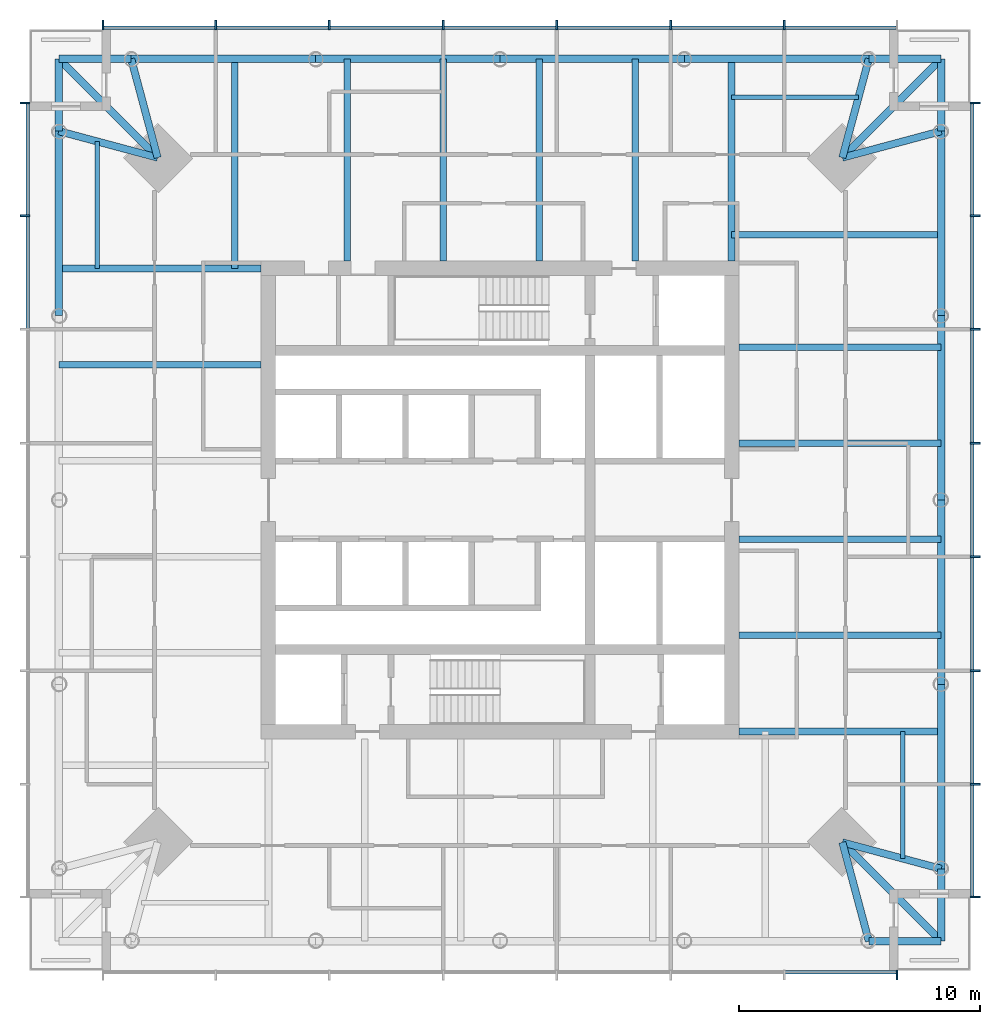
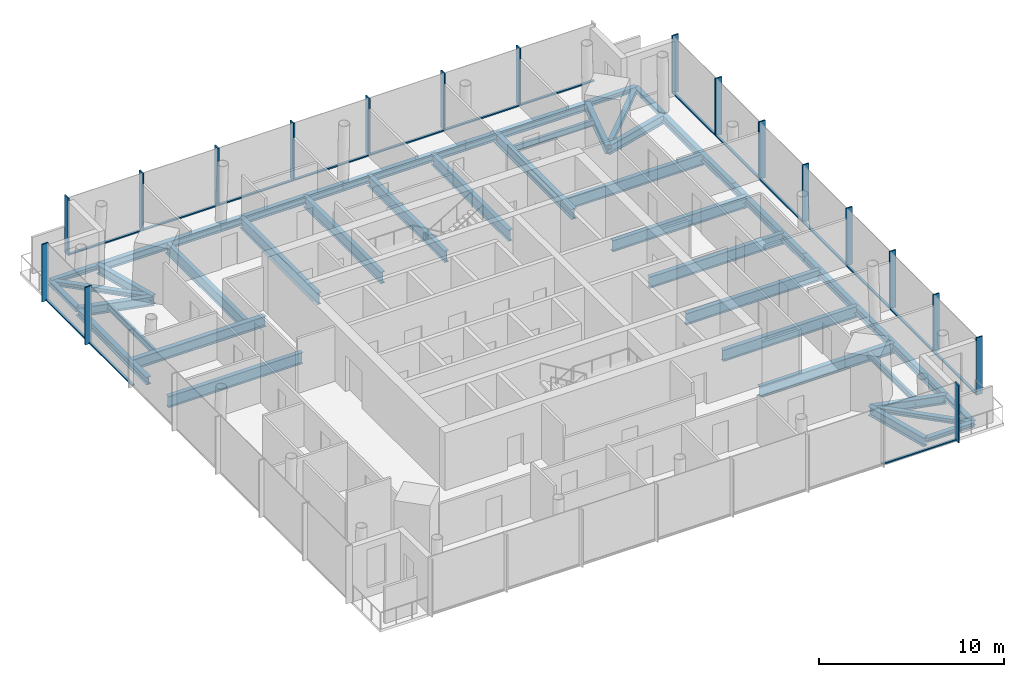
# One storey, part 2 of 7: 41 beams, 35 members, 4 elements without a shape of their own.
"""IFC4 building model written with IfcOpenShell, lengths in metres."""

from ifc_helpers import new_model, si_unit, direction, frame, origin, origin_2d, place, context, subcontext, project, spatial, rectangle, i_section, extrude, material, material_profile, profile_set, type_object, element, aggregate, save


model = new_model("IFC4")

# Units and contexts
model_context = context("Model", 3, precision=1e-05, world=origin(), true_north=direction((0.0, 1.0)))
body_context = subcontext(model_context, "Body", "Model", "MODEL_VIEW")
ifc_project = project(units=[si_unit("LENGTHUNIT", "METRE"), si_unit("AREAUNIT", "SQUARE_METRE"), si_unit("VOLUMEUNIT", "CUBIC_METRE"), si_unit("PLANEANGLEUNIT", "RADIAN"), si_unit("MASSUNIT", "GRAM", prefix="KILO")], contexts=[model_context])

# Site, building, storey
site_placement = place(None, origin())
site = spatial("IfcSite", under=ifc_project, at=site_placement, CompositionType="ELEMENT")
building_placement = place(site_placement, origin())
building = spatial("IfcBuilding", under=site, at=building_placement, Name="Ostroluk Exchange", CompositionType="ELEMENT")
storey_placement = place(building_placement, frame((0.0, 0.0, 199.60009765625)))
storey = spatial("IfcBuildingStorey", under=building, at=storey_placement, Name="L51", CompositionType="ELEMENT", Elevation=199.60009765625)

# Beams
ifc_material_1 = material(Name="Steel S355", Category="steel")
ifc_material_profile_1 = material_profile(ifc_material_1, i_section(OverallWidth=0.300048828125, OverallDepth=0.300048828125, WebThickness=0.010986328125, FlangeThickness=0.01904296875, FilletRadius=0.027099609375, at=origin_2d()), Name="HEB 300")
ifc_profile_set_1 = profile_set([ifc_material_profile_1], Name="Steel S355")
beam_type_1 = type_object("IfcBeamType", Name="Balcony beam HEB 300", PredefinedType="BEAM", material=ifc_profile_set_1)
for number, where, z_axis, x_axis, name in (
    (1, (63.29296875, 61.29296875, -0.330078125), (0.0, 1.0, 0.0), (-1.0, 0.0, 0.0), "T1 east balcony beam a"),
    (2, (60.29296875, 64.29296875, -0.330078125), (1.0, 0.0, 0.0), (0.0, 1.0, 0.0), "T1 east balcony beam b"),
):
    element("IfcBeam", number, at=place(storey_placement, frame(where, z_axis=z_axis, x_axis=x_axis)), inside=storey, type_object=beam_type_1, Name=name, PredefinedType="BEAM", context=body_context, shape_type="SweptSolid", body=[
        extrude(i_section(OverallWidth=0.300048828125, OverallDepth=0.300048828125, WebThickness=0.010986328125, FlangeThickness=0.01904296875, FilletRadius=0.027099609375, at=origin_2d()), origin(), (0.0, 0.0, 1.0), 3.0),
    ])
beam_1_placement = place(storey_placement, frame((59.19287109375, 60.19287109375, -0.330078125), z_axis=(0.707106781187, 0.707106781187, 0.0), x_axis=(-0.707106781187, 0.707106781187, 0.0)))
element("IfcBeam", 3, at=beam_1_placement, inside=storey, type_object=beam_type_1, Name="T1 east balcony beam c", PredefinedType="BEAM", context=body_context, shape_type="SweptSolid", body=[
    extrude(i_section(OverallWidth=0.300048828125, OverallDepth=0.300048828125, WebThickness=0.010986328125, FlangeThickness=0.01904296875, FilletRadius=0.027099609375, at=origin_2d()), origin(), (0.0, 0.0, 1.0), 5.79833984375),
])
for number, where, z_axis, x_axis, name in (
    (4, (29.70703125, 64.29296875, -0.330078125), (-1.0, 0.0, 0.0), (0.0, -1.0, 0.0), "T1 north balcony beam a"),
    (5, (26.70703125, 61.29296875, -0.330078125), (0.0, 1.0, 0.0), (-1.0, 0.0, 0.0), "T1 north balcony beam b"),
):
    element("IfcBeam", number, at=place(storey_placement, frame(where, z_axis=z_axis, x_axis=x_axis)), inside=storey, type_object=beam_type_1, Name=name, PredefinedType="BEAM", context=body_context, shape_type="SweptSolid", body=[
        extrude(i_section(OverallWidth=0.300048828125, OverallDepth=0.300048828125, WebThickness=0.010986328125, FlangeThickness=0.01904296875, FilletRadius=0.027099609375, at=origin_2d()), origin(), (0.0, 0.0, 1.0), 3.0),
    ])
beam_2_placement = place(storey_placement, frame((30.80712890625, 60.19287109375, -0.330078125), z_axis=(-0.707106781187, 0.707106781187, 0.0), x_axis=(-0.707106781187, -0.707106781187, 0.0)))
element("IfcBeam", 6, at=beam_2_placement, inside=storey, type_object=beam_type_1, Name="T1 north balcony beam c", PredefinedType="BEAM", context=body_context, shape_type="SweptSolid", body=[
    extrude(i_section(OverallWidth=0.300048828125, OverallDepth=0.300048828125, WebThickness=0.010986328125, FlangeThickness=0.01904296875, FilletRadius=0.027099609375, at=origin_2d()), origin(), (0.0, 0.0, 1.0), 5.79833984375),
])
for number, where, z_axis, x_axis, name in (
    (7, (60.29296875, 27.70703125, -0.330078125), (1.0, 0.0, 0.0), (0.0, 1.0, 0.0), "T1 south balcony beam a"),
    (8, (63.29296875, 30.70703125, -0.330078125), (0.0, -1.0, 0.0), (1.0, 0.0, 0.0), "T1 south balcony beam b"),
):
    element("IfcBeam", number, at=place(storey_placement, frame(where, z_axis=z_axis, x_axis=x_axis)), inside=storey, type_object=beam_type_1, Name=name, PredefinedType="BEAM", context=body_context, shape_type="SweptSolid", body=[
        extrude(i_section(OverallWidth=0.300048828125, OverallDepth=0.300048828125, WebThickness=0.010986328125, FlangeThickness=0.01904296875, FilletRadius=0.027099609375, at=origin_2d()), origin(), (0.0, 0.0, 1.0), 3.0),
    ])
beam_3_placement = place(storey_placement, frame((59.19287109375, 31.80712890625, -0.330078125), z_axis=(0.707106781187, -0.707106781187, 0.0), x_axis=(0.707106781187, 0.707106781187, 0.0)))
element("IfcBeam", 9, at=beam_3_placement, inside=storey, type_object=beam_type_1, Name="T1 south balcony beam c", PredefinedType="BEAM", context=body_context, shape_type="SweptSolid", body=[
    extrude(i_section(OverallWidth=0.300048828125, OverallDepth=0.300048828125, WebThickness=0.010986328125, FlangeThickness=0.01904296875, FilletRadius=0.027099609375, at=origin_2d()), origin(), (0.0, 0.0, 1.0), 5.79833984375),
])
ifc_material_2 = material(Name="Steel S355", Category="steel")
ifc_material_profile_2 = material_profile(ifc_material_2, i_section(OverallWidth=0.300048828125, OverallDepth=0.60009765625, WebThickness=0.015380859375, FlangeThickness=0.030029296875, FilletRadius=0.027099609375, at=origin_2d()), Name="HEB 600")
ifc_profile_set_2 = profile_set([ifc_material_profile_2], Name="Steel S355")
beam_type_2 = type_object("IfcBeamType", Name="Corner edge beam HEB 600", PredefinedType="SPANDREL", material=ifc_profile_set_2)
for number, where, z_axis, x_axis, name in (
    (10, (59.19287109375, 60.19287109375, -0.47998046875), (0.965838624319, 0.259144268261, 0.0), (-0.259144268261, 0.965838624319, 0.0), "T1 east corner edge beam a"),
    (11, (59.19287109375, 60.19287109375, -0.47998046875), (0.259144268261, 0.965838624319, 0.0), (-0.965838624319, 0.259144268261, 0.0), "T1 east corner edge beam b"),
    (12, (30.80712890625, 60.19287109375, -0.47998046875), (-0.259144268261, 0.965838624319, 0.0), (-0.965838624319, -0.259144268261, 0.0), "T1 north corner edge beam a"),
    (13, (30.80712890625, 60.19287109375, -0.47998046875), (-0.965838624319, 0.259144268261, 0.0), (-0.259144268261, -0.965838624319, 0.0), "T1 north corner edge beam b"),
    (14, (59.19287109375, 31.80712890625, -0.47998046875), (0.259144268261, -0.965838624319, 0.0), (0.965838624319, 0.259144268261, 0.0), "T1 south corner edge beam a"),
    (15, (59.19287109375, 31.80712890625, -0.47998046875), (0.965838624319, -0.259144268261, 0.0), (0.259144268261, 0.965838624319, 0.0), "T1 south corner edge beam b"),
):
    element("IfcBeam", number, at=place(storey_placement, frame(where, z_axis=z_axis, x_axis=x_axis)), inside=storey, type_object=beam_type_2, Name=name, PredefinedType="SPANDREL", context=body_context, shape_type="SweptSolid", body=[
        extrude(i_section(OverallWidth=0.300048828125, OverallDepth=0.60009765625, WebThickness=0.015380859375, FlangeThickness=0.030029296875, FilletRadius=0.027099609375, at=origin_2d()), origin(), (0.0, 0.0, 1.0), 4.2451171875),
    ])
ifc_material_3 = material(Name="Steel S355", Category="steel")
ifc_material_profile_3 = material_profile(ifc_material_3, i_section(OverallWidth=0.179931640625, OverallDepth=0.39990234375, WebThickness=0.008544921875, FlangeThickness=0.013427734375, FilletRadius=0.02099609375, at=origin_2d()), Name="IPE 400")
ifc_profile_set_3 = profile_set([ifc_material_profile_3], Name="Steel S355")
beam_type_3 = type_object("IfcBeamType", Name="Floor beam IPE 400", PredefinedType="BEAM", material=ifc_profile_set_3)
for number, where, z_axis, x_axis, name in (
    (16, (54.60009765625, 62.69287109375, -0.380126953125), (1.0, 0.0, 0.0), (0.0, 1.0, 0.0), "T1 east floor beam 6"),
    (17, (28.30712890625, 55.60009765625, -0.380126953125), (0.0, 1.0, 0.0), (-1.0, 0.0, 0.0), "T1 north floor beam 6"),
    (18, (61.69287109375, 36.39990234375, -0.380126953125), (0.0, -1.0, 0.0), (1.0, 0.0, 0.0), "T1 south floor beam 6"),
):
    element("IfcBeam", number, at=place(storey_placement, frame(where, z_axis=z_axis, x_axis=x_axis)), inside=storey, type_object=beam_type_3, Name=name, PredefinedType="BEAM", context=body_context, shape_type="SweptSolid", body=[
        extrude(i_section(OverallWidth=0.179931640625, OverallDepth=0.39990234375, WebThickness=0.008544921875, FlangeThickness=0.013427734375, FilletRadius=0.02099609375, at=origin_2d()), origin(), (0.0, 0.0, 1.0), 5.263427734375),
    ])
ifc_material_4 = material(Name="Steel S355", Category="steel")
ifc_material_profile_4 = material_profile(ifc_material_4, i_section(OverallWidth=0.264892578125, OverallDepth=0.7529296875, WebThickness=0.01318359375, FlangeThickness=0.01708984375, FilletRadius=0.01708984375, at=origin_2d()), Name="IPE 750x147")
ifc_profile_set_4 = profile_set([ifc_material_profile_4], Name="Steel S355")
beam_type_4 = type_object("IfcBeamType", Name="Floor beam IPE 750x147", PredefinedType="BEAM", material=ifc_profile_set_4)
for number, where, z_axis, x_axis, name in (
    (19, (54.89990234375, 40.384765625, -0.556640625), (1.0, 0.0, 0.0), (0.0, 1.0, 0.0), "T1 east floor beam 1"),
    (20, (54.89990234375, 44.369384765625, -0.556640625), (1.0, 0.0, 0.0), (0.0, 1.0, 0.0), "T1 east floor beam 2"),
    (21, (54.89990234375, 48.35400390625, -0.556640625), (1.0, 0.0, 0.0), (0.0, 1.0, 0.0), "T1 east floor beam 3"),
    (22, (54.89990234375, 52.3388671875, -0.556640625), (1.0, 0.0, 0.0), (0.0, 1.0, 0.0), "T1 east floor beam 4"),
):
    element("IfcBeam", number, at=place(storey_placement, frame(where, z_axis=z_axis, x_axis=x_axis)), inside=storey, type_object=beam_type_4, Name=name, PredefinedType="BEAM", context=body_context, shape_type="SweptSolid", body=[
        extrude(i_section(OverallWidth=0.264892578125, OverallDepth=0.7529296875, WebThickness=0.01318359375, FlangeThickness=0.01708984375, FilletRadius=0.01708984375, at=origin_2d()), origin(), (0.0, 0.0, 1.0), 8.39306640625),
    ])
beam_4_placement = place(storey_placement, frame((54.60009765625, 57.0, -0.556640625), z_axis=(1.0, 0.0, 0.0), x_axis=(0.0, 1.0, 0.0)))
element("IfcBeam", 23, at=beam_4_placement, inside=storey, type_object=beam_type_4, Name="T1 east floor beam 5", PredefinedType="BEAM", context=body_context, shape_type="SweptSolid", body=[
    extrude(i_section(OverallWidth=0.264892578125, OverallDepth=0.7529296875, WebThickness=0.01318359375, FlangeThickness=0.01708984375, FilletRadius=0.01708984375, at=origin_2d()), origin(), (0.0, 0.0, 1.0), 8.69287109375),
])
for number, where, z_axis, x_axis, name in (
    (24, (50.615234375, 55.89990234375, -0.556640625), (0.0, 1.0, 0.0), (-1.0, 0.0, 0.0), "T1 north floor beam 1"),
    (25, (46.630615234375, 55.89990234375, -0.556640625), (0.0, 1.0, 0.0), (-1.0, 0.0, 0.0), "T1 north floor beam 2"),
    (26, (42.64599609375, 55.89990234375, -0.556640625), (0.0, 1.0, 0.0), (-1.0, 0.0, 0.0), "T1 north floor beam 3"),
    (27, (38.6611328125, 55.89990234375, -0.556640625), (0.0, 1.0, 0.0), (-1.0, 0.0, 0.0), "T1 north floor beam 4"),
):
    element("IfcBeam", number, at=place(storey_placement, frame(where, z_axis=z_axis, x_axis=x_axis)), inside=storey, type_object=beam_type_4, Name=name, PredefinedType="BEAM", context=body_context, shape_type="SweptSolid", body=[
        extrude(i_section(OverallWidth=0.264892578125, OverallDepth=0.7529296875, WebThickness=0.01318359375, FlangeThickness=0.01708984375, FilletRadius=0.01708984375, at=origin_2d()), origin(), (0.0, 0.0, 1.0), 8.39306640625),
    ])
beam_5_placement = place(storey_placement, frame((34.0, 55.60009765625, -0.556640625), z_axis=(0.0, 1.0, 0.0), x_axis=(-1.0, 0.0, 0.0)))
element("IfcBeam", 28, at=beam_5_placement, inside=storey, type_object=beam_type_4, Name="T1 north floor beam 5", PredefinedType="BEAM", context=body_context, shape_type="SweptSolid", body=[
    extrude(i_section(OverallWidth=0.264892578125, OverallDepth=0.7529296875, WebThickness=0.01318359375, FlangeThickness=0.01708984375, FilletRadius=0.01708984375, at=origin_2d()), origin(), (0.0, 0.0, 1.0), 8.69287109375),
])
beam_6_placement = place(storey_placement, frame((35.10009765625, 51.615234375, -0.556640625), z_axis=(-1.0, 0.0, 0.0), x_axis=(0.0, -1.0, 0.0)))
element("IfcBeam", 29, at=beam_6_placement, inside=storey, type_object=beam_type_4, Name="T1 west floor beam 1", PredefinedType="BEAM", context=body_context, shape_type="SweptSolid", body=[
    extrude(i_section(OverallWidth=0.264892578125, OverallDepth=0.7529296875, WebThickness=0.01318359375, FlangeThickness=0.01708984375, FilletRadius=0.01708984375, at=origin_2d()), origin(), (0.0, 0.0, 1.0), 8.39306640625),
])
ifc_material_5 = material(Name="Steel S355", Category="steel")
ifc_material_profile_5 = material_profile(ifc_material_5, i_section(OverallWidth=0.300048828125, OverallDepth=0.699951171875, WebThickness=0.01708984375, FlangeThickness=0.031982421875, FilletRadius=0.027099609375, at=origin_2d()), Name="HEB 700")
ifc_profile_set_5 = profile_set([ifc_material_profile_5], Name="Steel S355")
beam_type_5 = type_object("IfcBeamType", Name="Girder HEB 700", PredefinedType="BEAM", material=ifc_profile_set_5)
for number, where, z_axis, x_axis, name in (
    (30, (54.60009765625, 55.89990234375, -0.530029296875), (0.0, 1.0, 0.0), (-1.0, 0.0, 0.0), "T1 east girder"),
    (31, (35.10009765625, 55.60009765625, -0.530029296875), (-1.0, 0.0, 0.0), (0.0, -1.0, 0.0), "T1 north girder"),
    (32, (54.89990234375, 36.39990234375, -0.530029296875), (1.0, 0.0, 0.0), (0.0, 1.0, 0.0), "T1 south girder"),
):
    element("IfcBeam", number, at=place(storey_placement, frame(where, z_axis=z_axis, x_axis=x_axis)), inside=storey, type_object=beam_type_5, Name=name, PredefinedType="BEAM", context=body_context, shape_type="SweptSolid", body=[
        extrude(i_section(OverallWidth=0.300048828125, OverallDepth=0.699951171875, WebThickness=0.01708984375, FlangeThickness=0.031982421875, FilletRadius=0.027099609375, at=origin_2d()), origin(), (0.0, 0.0, 1.0), 8.39306640625),
    ])
ifc_material_6 = material(Name="Steel S355", Category="steel")
ifc_material_profile_6 = material_profile(ifc_material_6, i_section(OverallWidth=0.300048828125, OverallDepth=0.5, WebThickness=0.014404296875, FlangeThickness=0.028076171875, FilletRadius=0.027099609375, at=origin_2d()), Name="HEB 500")
ifc_profile_set_6 = profile_set([ifc_material_profile_6], Name="Steel S355")
beam_type_6 = type_object("IfcBeamType", Name="Moment-connected edge beam HEB 500", PredefinedType="SPANDREL", material=ifc_profile_set_6)
for number, where, z_axis, x_axis, name in (
    (33, (63.29296875, 30.70703125, -0.43017578125), (0.0, 1.0, 0.0), (-1.0, 0.0, 0.0), "T1 east edge beam 1"),
    (34, (63.29296875, 38.353515625, -0.43017578125), (0.0, 1.0, 0.0), (-1.0, 0.0, 0.0), "T1 east edge beam 2"),
    (35, (63.29296875, 46.0, -0.43017578125), (0.0, 1.0, 0.0), (-1.0, 0.0, 0.0), "T1 east edge beam 3"),
    (36, (63.29296875, 53.646484375, -0.43017578125), (0.0, 1.0, 0.0), (-1.0, 0.0, 0.0), "T1 east edge beam 4"),
    (37, (60.29296875, 64.29296875, -0.43017578125), (-1.0, 0.0, 0.0), (0.0, -1.0, 0.0), "T1 north edge beam 1"),
    (38, (52.646484375, 64.29296875, -0.43017578125), (-1.0, 0.0, 0.0), (0.0, -1.0, 0.0), "T1 north edge beam 2"),
    (39, (45.0, 64.29296875, -0.43017578125), (-1.0, 0.0, 0.0), (0.0, -1.0, 0.0), "T1 north edge beam 3"),
    (40, (37.353515625, 64.29296875, -0.43017578125), (-1.0, 0.0, 0.0), (0.0, -1.0, 0.0), "T1 north edge beam 4"),
    (41, (26.70703125, 61.29296875, -0.43017578125), (0.0, -1.0, 0.0), (1.0, 0.0, 0.0), "T1 west edge beam 1"),
):
    element("IfcBeam", number, at=place(storey_placement, frame(where, z_axis=z_axis, x_axis=x_axis)), inside=storey, type_object=beam_type_6, Name=name, PredefinedType="SPANDREL", context=body_context, shape_type="SweptSolid", body=[
        extrude(i_section(OverallWidth=0.300048828125, OverallDepth=0.5, WebThickness=0.014404296875, FlangeThickness=0.028076171875, FilletRadius=0.027099609375, at=origin_2d()), origin(), (0.0, 0.0, 1.0), 7.646484375),
    ])

# Curtain wall, member
ifc_material_7 = material(Name="Laminated clear glass", Category="glass")
curtain_wall_type = type_object("IfcCurtainWallType", Name="Office tower facade", PredefinedType="USERDEFINED", material=ifc_material_7)
curtain_wall_1_placement = place(storey_placement, origin())
curtain_wall_1 = element("IfcCurtainWall", 42, at=curtain_wall_1_placement, inside=storey, type_object=curtain_wall_type, Name="Office tower south facade L51", ObjectType="UNITISED CURTAIN WALL", PredefinedType="USERDEFINED")
ifc_material_8 = material(Name="Aluminium mullion", Category="aluminium")
ifc_material_profile_7 = material_profile(ifc_material_8, rectangle(XDim=0.14990234375, YDim=0.080078125, at=origin_2d()), Name="Sill transom 80 x 150")
ifc_profile_set_7 = profile_set([ifc_material_profile_7], Name="Aluminium mullion")
member_type_1 = type_object("IfcMemberType", Name="Sill transom 80 x 150", PredefinedType="USERDEFINED", material=ifc_profile_set_7)
member_1_placement = place(storey_placement, frame((56.82568359375, 26.425048828125, 0.039794921875), z_axis=(1.0, 0.0, 0.0), x_axis=(0.0, 1.0, 0.0)))
member_1 = element("IfcMember", 43, at=member_1_placement, type_object=member_type_1, Name="CW-O1 transom 7.1", ObjectType="TRANSOM", PredefinedType="USERDEFINED", context=body_context, shape_type="SweptSolid", body=[
    extrude(rectangle(XDim=0.14990234375, YDim=0.080078125, at=origin_2d()), origin(), (0.0, 0.0, 1.0), 4.59423828125),
])

# Curtain wall, members
curtain_wall_2_placement = place(storey_placement, origin())
curtain_wall_2 = element("IfcCurtainWall", 44, at=curtain_wall_2_placement, inside=storey, type_object=curtain_wall_type, Name="Office tower east facade L51", ObjectType="UNITISED CURTAIN WALL", PredefinedType="USERDEFINED")
member_2_placement = place(storey_placement, frame((64.574951171875, 29.580078125, 0.039794921875), z_axis=(0.0, 1.0, 0.0), x_axis=(-1.0, 0.0, 0.0)))
member_2 = element("IfcMember", 45, at=member_2_placement, type_object=member_type_1, Name="CW-O1 transom 1.1", ObjectType="TRANSOM", PredefinedType="USERDEFINED", context=body_context, shape_type="SweptSolid", body=[
    extrude(rectangle(XDim=0.14990234375, YDim=0.080078125, at=origin_2d()), origin(), (0.0, 0.0, 1.0), 4.59423828125),
])
member_3_placement = place(storey_placement, frame((64.574951171875, 34.25439453125, 0.039794921875), z_axis=(0.0, 1.0, 0.0), x_axis=(-1.0, 0.0, 0.0)))
member_3 = element("IfcMember", 46, at=member_3_placement, type_object=member_type_1, Name="CW-O1 transom 2.1", ObjectType="TRANSOM", PredefinedType="USERDEFINED", context=body_context, shape_type="SweptSolid", body=[
    extrude(rectangle(XDim=0.14990234375, YDim=0.080078125, at=origin_2d()), origin(), (0.0, 0.0, 1.0), 4.63427734375),
])
member_4_placement = place(storey_placement, frame((64.574951171875, 38.968505859375, 0.039794921875), z_axis=(0.0, 1.0, 0.0), x_axis=(-1.0, 0.0, 0.0)))
member_4 = element("IfcMember", 47, at=member_4_placement, type_object=member_type_1, Name="CW-O1 transom 3.1", ObjectType="TRANSOM", PredefinedType="USERDEFINED", context=body_context, shape_type="SweptSolid", body=[
    extrude(rectangle(XDim=0.14990234375, YDim=0.080078125, at=origin_2d()), origin(), (0.0, 0.0, 1.0), 4.63427734375),
])
member_5_placement = place(storey_placement, frame((64.574951171875, 43.682861328125, 0.039794921875), z_axis=(0.0, 1.0, 0.0), x_axis=(-1.0, 0.0, 0.0)))
member_5 = element("IfcMember", 48, at=member_5_placement, type_object=member_type_1, Name="CW-O1 transom 4.1", ObjectType="TRANSOM", PredefinedType="USERDEFINED", context=body_context, shape_type="SweptSolid", body=[
    extrude(rectangle(XDim=0.14990234375, YDim=0.080078125, at=origin_2d()), origin(), (0.0, 0.0, 1.0), 4.63427734375),
])
member_6_placement = place(storey_placement, frame((64.574951171875, 48.397216796875, 0.039794921875), z_axis=(0.0, 1.0, 0.0), x_axis=(-1.0, 0.0, 0.0)))
member_6 = element("IfcMember", 49, at=member_6_placement, type_object=member_type_1, Name="CW-O1 transom 5.1", ObjectType="TRANSOM", PredefinedType="USERDEFINED", context=body_context, shape_type="SweptSolid", body=[
    extrude(rectangle(XDim=0.14990234375, YDim=0.080078125, at=origin_2d()), origin(), (0.0, 0.0, 1.0), 4.63427734375),
])
member_7_placement = place(storey_placement, frame((64.574951171875, 53.111328125, 0.039794921875), z_axis=(0.0, 1.0, 0.0), x_axis=(-1.0, 0.0, 0.0)))
member_7 = element("IfcMember", 50, at=member_7_placement, type_object=member_type_1, Name="CW-O1 transom 6.1", ObjectType="TRANSOM", PredefinedType="USERDEFINED", context=body_context, shape_type="SweptSolid", body=[
    extrude(rectangle(XDim=0.14990234375, YDim=0.080078125, at=origin_2d()), origin(), (0.0, 0.0, 1.0), 4.63427734375),
])
member_8_placement = place(storey_placement, frame((64.574951171875, 57.82568359375, 0.039794921875), z_axis=(0.0, 1.0, 0.0), x_axis=(-1.0, 0.0, 0.0)))
member_8 = element("IfcMember", 51, at=member_8_placement, type_object=member_type_1, Name="CW-O1 transom 7.1", ObjectType="TRANSOM", PredefinedType="USERDEFINED", context=body_context, shape_type="SweptSolid", body=[
    extrude(rectangle(XDim=0.14990234375, YDim=0.080078125, at=origin_2d()), origin(), (0.0, 0.0, 1.0), 4.59423828125),
])

curtain_wall_3_placement = place(storey_placement, origin())
curtain_wall_3 = element("IfcCurtainWall", 52, at=curtain_wall_3_placement, inside=storey, type_object=curtain_wall_type, Name="Office tower north facade L51", ObjectType="UNITISED CURTAIN WALL", PredefinedType="USERDEFINED")
member_9_placement = place(storey_placement, frame((61.419921875, 65.574951171875, 0.039794921875), z_axis=(-1.0, 0.0, 0.0), x_axis=(0.0, -1.0, 0.0)))
member_9 = element("IfcMember", 53, at=member_9_placement, type_object=member_type_1, Name="CW-O1 transom 1.1", ObjectType="TRANSOM", PredefinedType="USERDEFINED", context=body_context, shape_type="SweptSolid", body=[
    extrude(rectangle(XDim=0.14990234375, YDim=0.080078125, at=origin_2d()), origin(), (0.0, 0.0, 1.0), 4.59423828125),
])
member_10_placement = place(storey_placement, frame((56.74560546875, 65.574951171875, 0.039794921875), z_axis=(-1.0, 0.0, 0.0), x_axis=(0.0, -1.0, 0.0)))
member_10 = element("IfcMember", 54, at=member_10_placement, type_object=member_type_1, Name="CW-O1 transom 2.1", ObjectType="TRANSOM", PredefinedType="USERDEFINED", context=body_context, shape_type="SweptSolid", body=[
    extrude(rectangle(XDim=0.14990234375, YDim=0.080078125, at=origin_2d()), origin(), (0.0, 0.0, 1.0), 4.63427734375),
])
member_11_placement = place(storey_placement, frame((52.031494140625, 65.574951171875, 0.039794921875), z_axis=(-1.0, 0.0, 0.0), x_axis=(0.0, -1.0, 0.0)))
member_11 = element("IfcMember", 55, at=member_11_placement, type_object=member_type_1, Name="CW-O1 transom 3.1", ObjectType="TRANSOM", PredefinedType="USERDEFINED", context=body_context, shape_type="SweptSolid", body=[
    extrude(rectangle(XDim=0.14990234375, YDim=0.080078125, at=origin_2d()), origin(), (0.0, 0.0, 1.0), 4.63427734375),
])
member_12_placement = place(storey_placement, frame((47.317138671875, 65.574951171875, 0.039794921875), z_axis=(-1.0, 0.0, 0.0), x_axis=(0.0, -1.0, 0.0)))
member_12 = element("IfcMember", 56, at=member_12_placement, type_object=member_type_1, Name="CW-O1 transom 4.1", ObjectType="TRANSOM", PredefinedType="USERDEFINED", context=body_context, shape_type="SweptSolid", body=[
    extrude(rectangle(XDim=0.14990234375, YDim=0.080078125, at=origin_2d()), origin(), (0.0, 0.0, 1.0), 4.63427734375),
])
member_13_placement = place(storey_placement, frame((42.602783203125, 65.574951171875, 0.039794921875), z_axis=(-1.0, 0.0, 0.0), x_axis=(0.0, -1.0, 0.0)))
member_13 = element("IfcMember", 57, at=member_13_placement, type_object=member_type_1, Name="CW-O1 transom 5.1", ObjectType="TRANSOM", PredefinedType="USERDEFINED", context=body_context, shape_type="SweptSolid", body=[
    extrude(rectangle(XDim=0.14990234375, YDim=0.080078125, at=origin_2d()), origin(), (0.0, 0.0, 1.0), 4.63427734375),
])
member_14_placement = place(storey_placement, frame((37.888671875, 65.574951171875, 0.039794921875), z_axis=(-1.0, 0.0, 0.0), x_axis=(0.0, -1.0, 0.0)))
member_14 = element("IfcMember", 58, at=member_14_placement, type_object=member_type_1, Name="CW-O1 transom 6.1", ObjectType="TRANSOM", PredefinedType="USERDEFINED", context=body_context, shape_type="SweptSolid", body=[
    extrude(rectangle(XDim=0.14990234375, YDim=0.080078125, at=origin_2d()), origin(), (0.0, 0.0, 1.0), 4.63427734375),
])
member_15_placement = place(storey_placement, frame((33.17431640625, 65.574951171875, 0.039794921875), z_axis=(-1.0, 0.0, 0.0), x_axis=(0.0, -1.0, 0.0)))
member_15 = element("IfcMember", 59, at=member_15_placement, type_object=member_type_1, Name="CW-O1 transom 7.1", ObjectType="TRANSOM", PredefinedType="USERDEFINED", context=body_context, shape_type="SweptSolid", body=[
    extrude(rectangle(XDim=0.14990234375, YDim=0.080078125, at=origin_2d()), origin(), (0.0, 0.0, 1.0), 4.59423828125),
])

curtain_wall_4_placement = place(storey_placement, origin())
curtain_wall_4 = element("IfcCurtainWall", 60, at=curtain_wall_4_placement, inside=storey, type_object=curtain_wall_type, Name="Office tower west facade L51", ObjectType="UNITISED CURTAIN WALL", PredefinedType="USERDEFINED")
member_16_placement = place(storey_placement, frame((25.425048828125, 62.419921875, 0.039794921875), z_axis=(0.0, -1.0, 0.0), x_axis=(1.0, 0.0, 0.0)))
member_16 = element("IfcMember", 61, at=member_16_placement, type_object=member_type_1, Name="CW-O1 transom 1.1", ObjectType="TRANSOM", PredefinedType="USERDEFINED", context=body_context, shape_type="SweptSolid", body=[
    extrude(rectangle(XDim=0.14990234375, YDim=0.080078125, at=origin_2d()), origin(), (0.0, 0.0, 1.0), 4.59423828125),
])
member_17_placement = place(storey_placement, frame((25.425048828125, 57.74560546875, 0.039794921875), z_axis=(0.0, -1.0, 0.0), x_axis=(1.0, 0.0, 0.0)))
member_17 = element("IfcMember", 62, at=member_17_placement, type_object=member_type_1, Name="CW-O1 transom 2.1", ObjectType="TRANSOM", PredefinedType="USERDEFINED", context=body_context, shape_type="SweptSolid", body=[
    extrude(rectangle(XDim=0.14990234375, YDim=0.080078125, at=origin_2d()), origin(), (0.0, 0.0, 1.0), 4.63427734375),
])

# Member
ifc_material_9 = material(Name="Aluminium mullion with limestone facing", Category="masonry")
ifc_material_profile_8 = material_profile(ifc_material_9, rectangle(XDim=0.39990234375, YDim=0.080078125, at=origin_2d()), Name="Tracery mullion 80 x 400")
ifc_profile_set_8 = profile_set([ifc_material_profile_8], Name="Aluminium mullion with limestone facing")
member_type_2 = type_object("IfcMemberType", Name="Tracery mullion 80 x 400", PredefinedType="MULLION", material=ifc_profile_set_8)
member_18_placement = place(storey_placement, frame((61.4599609375, 26.300048828125, 0.0), z_axis=(0.0, 0.0, 1.0), x_axis=(0.0, 1.0, 0.0)))
member_18 = element("IfcMember", 63, at=member_18_placement, type_object=member_type_2, Name="CW-O1 mullion 8", PredefinedType="MULLION", context=body_context, shape_type="SweptSolid", body=[
    extrude(rectangle(XDim=0.39990234375, YDim=0.080078125, at=origin_2d()), origin(), (0.0, 0.0, 1.0), 3.7998046875),
])

aggregate(curtain_wall_1, [member_18, member_1])

member_19_placement = place(storey_placement, frame((64.699951171875, 29.5400390625, 0.0), z_axis=(0.0, 0.0, 1.0), x_axis=(-1.0, 0.0, 0.0)))
member_19 = element("IfcMember", 64, at=member_19_placement, type_object=member_type_2, Name="CW-O1 mullion 1", PredefinedType="MULLION", context=body_context, shape_type="SweptSolid", body=[
    extrude(rectangle(XDim=0.39990234375, YDim=0.080078125, at=origin_2d()), origin(), (0.0, 0.0, 1.0), 3.7998046875),
])

member_20_placement = place(storey_placement, frame((64.699951171875, 34.21435546875, 0.0), z_axis=(0.0, 0.0, 1.0), x_axis=(-1.0, 0.0, 0.0)))
member_20 = element("IfcMember", 65, at=member_20_placement, type_object=member_type_2, Name="CW-O1 mullion 2", PredefinedType="MULLION", context=body_context, shape_type="SweptSolid", body=[
    extrude(rectangle(XDim=0.39990234375, YDim=0.080078125, at=origin_2d()), origin(), (0.0, 0.0, 1.0), 3.7998046875),
])

member_21_placement = place(storey_placement, frame((64.699951171875, 38.928466796875, 0.0), z_axis=(0.0, 0.0, 1.0), x_axis=(-1.0, 0.0, 0.0)))
member_21 = element("IfcMember", 66, at=member_21_placement, type_object=member_type_2, Name="CW-O1 mullion 3", PredefinedType="MULLION", context=body_context, shape_type="SweptSolid", body=[
    extrude(rectangle(XDim=0.39990234375, YDim=0.080078125, at=origin_2d()), origin(), (0.0, 0.0, 1.0), 3.7998046875),
])

member_22_placement = place(storey_placement, frame((64.699951171875, 43.642822265625, 0.0), z_axis=(0.0, 0.0, 1.0), x_axis=(-1.0, 0.0, 0.0)))
member_22 = element("IfcMember", 67, at=member_22_placement, type_object=member_type_2, Name="CW-O1 mullion 4", PredefinedType="MULLION", context=body_context, shape_type="SweptSolid", body=[
    extrude(rectangle(XDim=0.39990234375, YDim=0.080078125, at=origin_2d()), origin(), (0.0, 0.0, 1.0), 3.7998046875),
])

member_23_placement = place(storey_placement, frame((64.699951171875, 48.357177734375, 0.0), z_axis=(0.0, 0.0, 1.0), x_axis=(-1.0, 0.0, 0.0)))
member_23 = element("IfcMember", 68, at=member_23_placement, type_object=member_type_2, Name="CW-O1 mullion 5", PredefinedType="MULLION", context=body_context, shape_type="SweptSolid", body=[
    extrude(rectangle(XDim=0.39990234375, YDim=0.080078125, at=origin_2d()), origin(), (0.0, 0.0, 1.0), 3.7998046875),
])

member_24_placement = place(storey_placement, frame((64.699951171875, 53.071533203125, 0.0), z_axis=(0.0, 0.0, 1.0), x_axis=(-1.0, 0.0, 0.0)))
member_24 = element("IfcMember", 69, at=member_24_placement, type_object=member_type_2, Name="CW-O1 mullion 6", PredefinedType="MULLION", context=body_context, shape_type="SweptSolid", body=[
    extrude(rectangle(XDim=0.39990234375, YDim=0.080078125, at=origin_2d()), origin(), (0.0, 0.0, 1.0), 3.7998046875),
])

member_25_placement = place(storey_placement, frame((64.699951171875, 57.78564453125, 0.0), z_axis=(0.0, 0.0, 1.0), x_axis=(-1.0, 0.0, 0.0)))
member_25 = element("IfcMember", 70, at=member_25_placement, type_object=member_type_2, Name="CW-O1 mullion 7", PredefinedType="MULLION", context=body_context, shape_type="SweptSolid", body=[
    extrude(rectangle(XDim=0.39990234375, YDim=0.080078125, at=origin_2d()), origin(), (0.0, 0.0, 1.0), 3.7998046875),
])

member_26_placement = place(storey_placement, frame((64.699951171875, 62.4599609375, 0.0), z_axis=(0.0, 0.0, 1.0), x_axis=(-1.0, 0.0, 0.0)))
member_26 = element("IfcMember", 71, at=member_26_placement, type_object=member_type_2, Name="CW-O1 mullion 8", PredefinedType="MULLION", context=body_context, shape_type="SweptSolid", body=[
    extrude(rectangle(XDim=0.39990234375, YDim=0.080078125, at=origin_2d()), origin(), (0.0, 0.0, 1.0), 3.7998046875),
])

aggregate(curtain_wall_2, [member_19, member_20, member_21, member_22, member_23, member_24, member_25, member_26, member_2, member_3, member_4, member_5, member_6, member_7, member_8])

member_27_placement = place(storey_placement, frame((56.78564453125, 65.699951171875, 0.0), z_axis=(0.0, 0.0, 1.0), x_axis=(0.0, -1.0, 0.0)))
member_27 = element("IfcMember", 72, at=member_27_placement, type_object=member_type_2, Name="CW-O1 mullion 2", PredefinedType="MULLION", context=body_context, shape_type="SweptSolid", body=[
    extrude(rectangle(XDim=0.39990234375, YDim=0.080078125, at=origin_2d()), origin(), (0.0, 0.0, 1.0), 3.7998046875),
])

member_28_placement = place(storey_placement, frame((52.071533203125, 65.699951171875, 0.0), z_axis=(0.0, 0.0, 1.0), x_axis=(0.0, -1.0, 0.0)))
member_28 = element("IfcMember", 73, at=member_28_placement, type_object=member_type_2, Name="CW-O1 mullion 3", PredefinedType="MULLION", context=body_context, shape_type="SweptSolid", body=[
    extrude(rectangle(XDim=0.39990234375, YDim=0.080078125, at=origin_2d()), origin(), (0.0, 0.0, 1.0), 3.7998046875),
])

member_29_placement = place(storey_placement, frame((47.357177734375, 65.699951171875, 0.0), z_axis=(0.0, 0.0, 1.0), x_axis=(0.0, -1.0, 0.0)))
member_29 = element("IfcMember", 74, at=member_29_placement, type_object=member_type_2, Name="CW-O1 mullion 4", PredefinedType="MULLION", context=body_context, shape_type="SweptSolid", body=[
    extrude(rectangle(XDim=0.39990234375, YDim=0.080078125, at=origin_2d()), origin(), (0.0, 0.0, 1.0), 3.7998046875),
])

member_30_placement = place(storey_placement, frame((42.642822265625, 65.699951171875, 0.0), z_axis=(0.0, 0.0, 1.0), x_axis=(0.0, -1.0, 0.0)))
member_30 = element("IfcMember", 75, at=member_30_placement, type_object=member_type_2, Name="CW-O1 mullion 5", PredefinedType="MULLION", context=body_context, shape_type="SweptSolid", body=[
    extrude(rectangle(XDim=0.39990234375, YDim=0.080078125, at=origin_2d()), origin(), (0.0, 0.0, 1.0), 3.7998046875),
])

member_31_placement = place(storey_placement, frame((37.928466796875, 65.699951171875, 0.0), z_axis=(0.0, 0.0, 1.0), x_axis=(0.0, -1.0, 0.0)))
member_31 = element("IfcMember", 76, at=member_31_placement, type_object=member_type_2, Name="CW-O1 mullion 6", PredefinedType="MULLION", context=body_context, shape_type="SweptSolid", body=[
    extrude(rectangle(XDim=0.39990234375, YDim=0.080078125, at=origin_2d()), origin(), (0.0, 0.0, 1.0), 3.7998046875),
])

member_32_placement = place(storey_placement, frame((33.21435546875, 65.699951171875, 0.0), z_axis=(0.0, 0.0, 1.0), x_axis=(0.0, -1.0, 0.0)))
member_32 = element("IfcMember", 77, at=member_32_placement, type_object=member_type_2, Name="CW-O1 mullion 7", PredefinedType="MULLION", context=body_context, shape_type="SweptSolid", body=[
    extrude(rectangle(XDim=0.39990234375, YDim=0.080078125, at=origin_2d()), origin(), (0.0, 0.0, 1.0), 3.7998046875),
])

member_33_placement = place(storey_placement, frame((28.5400390625, 65.699951171875, 0.0), z_axis=(0.0, 0.0, 1.0), x_axis=(0.0, -1.0, 0.0)))
member_33 = element("IfcMember", 78, at=member_33_placement, type_object=member_type_2, Name="CW-O1 mullion 8", PredefinedType="MULLION", context=body_context, shape_type="SweptSolid", body=[
    extrude(rectangle(XDim=0.39990234375, YDim=0.080078125, at=origin_2d()), origin(), (0.0, 0.0, 1.0), 3.7998046875),
])

aggregate(curtain_wall_3, [member_27, member_28, member_29, member_30, member_31, member_32, member_33, member_9, member_10, member_11, member_12, member_13, member_14, member_15])

member_34_placement = place(storey_placement, frame((25.300048828125, 62.4599609375, 0.0), z_axis=(0.0, 0.0, 1.0), x_axis=(1.0, 0.0, 0.0)))
member_34 = element("IfcMember", 79, at=member_34_placement, type_object=member_type_2, Name="CW-O1 mullion 1", PredefinedType="MULLION", context=body_context, shape_type="SweptSolid", body=[
    extrude(rectangle(XDim=0.39990234375, YDim=0.080078125, at=origin_2d()), origin(), (0.0, 0.0, 1.0), 3.7998046875),
])

member_35_placement = place(storey_placement, frame((25.300048828125, 57.78564453125, 0.0), z_axis=(0.0, 0.0, 1.0), x_axis=(1.0, 0.0, 0.0)))
member_35 = element("IfcMember", 80, at=member_35_placement, type_object=member_type_2, Name="CW-O1 mullion 2", PredefinedType="MULLION", context=body_context, shape_type="SweptSolid", body=[
    extrude(rectangle(XDim=0.39990234375, YDim=0.080078125, at=origin_2d()), origin(), (0.0, 0.0, 1.0), 3.7998046875),
])

aggregate(curtain_wall_4, [member_34, member_35, member_16, member_17])

save(model, "model.ifc")
